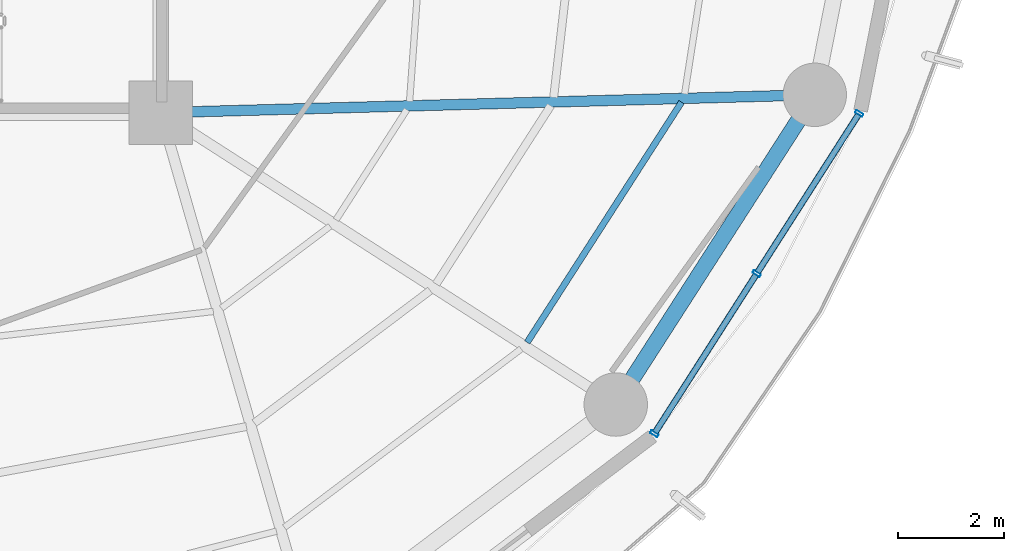
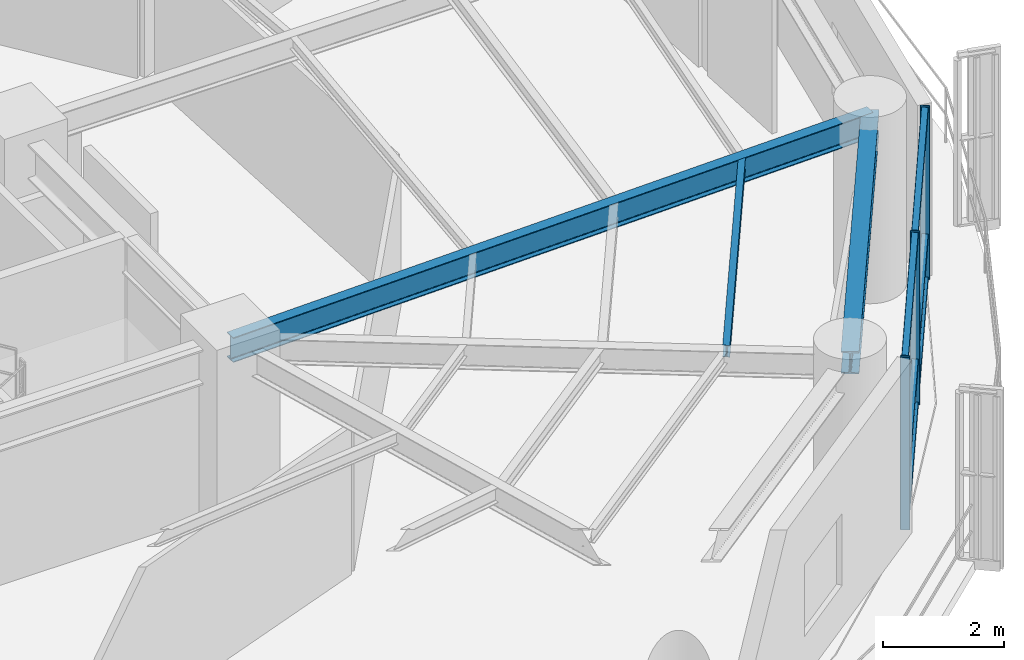
# One storey, part 11 of 27: 9 members, 3 beams, 1 element without a shape of its own.
"""IFC4 building model written with IfcOpenShell, lengths in metres."""

from ifc_helpers import new_model, si_unit, direction, frame, origin, origin_2d, place, context, subcontext, project, spatial, hollow_rectangle, i_section, extrude, material, layer, layer_set, material_profile, profile_set, type_object, element, aggregate, save


model = new_model("IFC4")

# Units and contexts
model_context = context("Model", 3, precision=1e-05, world=origin(), true_north=direction((0.0, 1.0)))
body_context = subcontext(model_context, "Body", "Model", "MODEL_VIEW")
ifc_project = project(units=[si_unit("LENGTHUNIT", "METRE"), si_unit("AREAUNIT", "SQUARE_METRE"), si_unit("VOLUMEUNIT", "CUBIC_METRE"), si_unit("PLANEANGLEUNIT", "RADIAN"), si_unit("MASSUNIT", "GRAM", prefix="KILO")], contexts=[model_context])

# Site, building, storey
site_placement = place(None, origin())
site = spatial("IfcSite", under=ifc_project, at=site_placement, CompositionType="ELEMENT")
building_placement = place(site_placement, origin())
building = spatial("IfcBuilding", under=site, at=building_placement, Name="Kelanora Arch Commons", CompositionType="ELEMENT")
storey_placement = place(building_placement, frame((0.0, 0.0, 173.10009765625)))
storey = spatial("IfcBuildingStorey", under=building, at=storey_placement, Name="L44", CompositionType="ELEMENT", Elevation=173.10009765625)

# Beams
ifc_material_1 = material(Name="Steel S355", Category="steel")
ifc_material_profile_1 = material_profile(ifc_material_1, i_section(OverallWidth=0.1201171875, OverallDepth=0.239990234375, WebThickness=0.006103515625, FlangeThickness=0.009765625, FilletRadius=0.014892578125, at=origin_2d()), Name="IPE240")
ifc_profile_set_1 = profile_set([ifc_material_profile_1], Name="Steel S355")
beam_type_1 = type_object("IfcBeamType", Name="BM-JST-02", PredefinedType="JOIST", material=ifc_profile_set_1)
beam_1_placement = place(storey_placement, frame((88.93212890625, 46.654296875, 3.369873046875), z_axis=(0.540581678156, 0.841291536414, 0.0), x_axis=(-0.841291536414, 0.540581678156, 0.0)))
element("IfcBeam", 1, at=beam_1_placement, inside=storey, type_object=beam_type_1, Name="Secondary Chord Joist BJC-32 L44", PredefinedType="JOIST", context=body_context, shape_type="SweptSolid", body=[
    extrude(i_section(OverallWidth=0.1201171875, OverallDepth=0.239990234375, WebThickness=0.006103515625, FlangeThickness=0.009765625, FilletRadius=0.014892578125, at=origin_2d()), origin(), (0.0, 0.0, 1.0), 5.4013671875),
])
ifc_material_profile_2 = material_profile(ifc_material_1, i_section(OverallWidth=0.199951171875, OverallDepth=0.5, WebThickness=0.01025390625, FlangeThickness=0.01611328125, FilletRadius=0.02099609375, at=origin_2d()), Name="IPE500")
ifc_profile_set_2 = profile_set([ifc_material_profile_2], Name="Steel S355")
beam_type_2 = type_object("IfcBeamType", Name="BM-RAD-Z3", PredefinedType="BEAM", material=ifc_profile_set_2)
beam_2_placement = place(storey_placement, frame((82.0, 51.0, 3.239990234375), z_axis=(0.999628374924, 0.027260081577, 0.0), x_axis=(-0.027260081577, 0.999628374924, 0.0)))
element("IfcBeam", 2, at=beam_2_placement, inside=storey, type_object=beam_type_2, Name="Radial Floor Girder BR-34 L44", PredefinedType="BEAM", context=body_context, shape_type="SweptSolid", body=[
    extrude(i_section(OverallWidth=0.199951171875, OverallDepth=0.5, WebThickness=0.01025390625, FlangeThickness=0.01611328125, FilletRadius=0.02099609375, at=origin_2d()), origin(), (0.0, 0.0, 1.0), 12.377197265625),
])
ifc_material_profile_3 = material_profile(ifc_material_1, i_section(OverallWidth=0.300048828125, OverallDepth=0.449951171875, WebThickness=0.013916015625, FlangeThickness=0.02587890625, FilletRadius=0.027099609375, at=origin_2d()), Name="HEB450")
ifc_profile_set_3 = profile_set([ifc_material_profile_3], Name="Steel S355")
beam_type_3 = type_object("IfcBeamType", Name="BM-SPN-Z3", PredefinedType="SPANDREL", material=ifc_profile_set_3)
beam_3_placement = place(storey_placement, frame((90.60791015625, 45.478515625, 3.264892578125), z_axis=(0.540576852469, 0.841294637196, 0.0), x_axis=(-0.841294637196, 0.540576852469, 0.0)))
element("IfcBeam", 3, at=beam_3_placement, inside=storey, type_object=beam_type_3, Name="Perimeter Spandrel Beam BS-32 L44", PredefinedType="SPANDREL", context=body_context, shape_type="SweptSolid", body=[
    extrude(i_section(OverallWidth=0.300048828125, OverallDepth=0.449951171875, WebThickness=0.013916015625, FlangeThickness=0.02587890625, FilletRadius=0.027099609375, at=origin_2d()), origin(), (0.0, 0.0, 1.0), 6.964111328125),
])

# Curtain wall, members
ifc_material_2 = material(Name="Terracotta ceramic-fritted low-E glass and aluminium", Category="masonry")
ifc_layer = layer(ifc_material_2, 0.175048828125)
ifc_layer_set = layer_set([ifc_layer], Name="Terracotta ceramic-fritted low-E glass and aluminium")
curtain_wall_type = type_object("IfcCurtainWallType", Name="CW-SYS-02", PredefinedType="NOTDEFINED", material=ifc_layer_set)
curtain_wall_placement = place(storey_placement, origin())
curtain_wall = element("IfcCurtainWall", 4, at=curtain_wall_placement, inside=storey, type_object=curtain_wall_type, Name="Unitised Curtain Wall L44-B16", PredefinedType="NOTDEFINED")
ifc_material_3 = material(Name="Powder-coated aluminium terracotta", Category="masonry")
ifc_material_profile_4 = material_profile(ifc_material_3, hollow_rectangle(XDim=0.159912109375, YDim=0.06005859375, WallThickness=0.0048828125, InnerFilletRadius=0.0048828125, OuterFilletRadius=0.010009765625, at=origin_2d()), Name="CWM160x60")
ifc_profile_set_4 = profile_set([ifc_material_profile_4], Name="Powder-coated aluminium terracotta")
member_type_1 = type_object("IfcMemberType", Name="CWM-STD", PredefinedType="MULLION", material=ifc_profile_set_4)
member_1_placement = place(storey_placement, frame((91.3369140625, 44.925048828125, 0.0), z_axis=(0.0, 0.0, 1.0), x_axis=(-0.842422846546, 0.538816988983, 0.0)))
member_1 = element("IfcMember", 5, at=member_1_placement, type_object=member_type_1, Name="CW-02 mullion 1", PredefinedType="MULLION", context=body_context, shape_type="SweptSolid", body=[
    extrude(hollow_rectangle(XDim=0.159912109375, YDim=0.06005859375, WallThickness=0.0048828125, InnerFilletRadius=0.0048828125, OuterFilletRadius=0.010009765625, at=origin_2d()), origin(), (0.0, 0.0, 1.0), 3.474853515625),
])
member_2_placement = place(storey_placement, frame((93.27490234375, 47.954833984375, 0.0), z_axis=(0.0, 0.0, 1.0), x_axis=(-0.842422846546, 0.538816988983, 0.0)))
member_2 = element("IfcMember", 6, at=member_2_placement, type_object=member_type_1, Name="CW-02 mullion 2", PredefinedType="MULLION", context=body_context, shape_type="SweptSolid", body=[
    extrude(hollow_rectangle(XDim=0.159912109375, YDim=0.06005859375, WallThickness=0.0048828125, InnerFilletRadius=0.0048828125, OuterFilletRadius=0.010009765625, at=origin_2d()), origin(), (0.0, 0.0, 1.0), 3.474853515625),
])
member_3_placement = place(storey_placement, frame((95.212890625, 50.98486328125, 0.0), z_axis=(0.0, 0.0, 1.0), x_axis=(-0.842422846546, 0.538816988983, 0.0)))
member_3 = element("IfcMember", 7, at=member_3_placement, type_object=member_type_1, Name="CW-02 mullion 3", PredefinedType="MULLION", context=body_context, shape_type="SweptSolid", body=[
    extrude(hollow_rectangle(XDim=0.159912109375, YDim=0.06005859375, WallThickness=0.0048828125, InnerFilletRadius=0.0048828125, OuterFilletRadius=0.010009765625, at=origin_2d()), origin(), (0.0, 0.0, 1.0), 3.474853515625),
])
ifc_material_profile_5 = material_profile(ifc_material_3, hollow_rectangle(XDim=0.1201171875, YDim=0.06005859375, WallThickness=0.0048828125, InnerFilletRadius=0.0048828125, OuterFilletRadius=0.010009765625, at=origin_2d()), Name="CWT120x60")
ifc_profile_set_5 = profile_set([ifc_material_profile_5], Name="Powder-coated aluminium terracotta")
member_type_2 = type_object("IfcMemberType", Name="CWT-STD", PredefinedType="USERDEFINED", material=ifc_profile_set_5)
member_4_placement = place(storey_placement, frame((91.35302734375, 44.9501953125, 0.02978515625), z_axis=(0.53883037555, 0.842414284295, 0.0), x_axis=(-0.842414284295, 0.53883037555, 0.0)))
member_4 = element("IfcMember", 8, at=member_4_placement, type_object=member_type_2, Name="CW-02 transom 1.1", ObjectType="TRANSOM", PredefinedType="USERDEFINED", context=body_context, shape_type="SweptSolid", body=[
    extrude(hollow_rectangle(XDim=0.1201171875, YDim=0.06005859375, WallThickness=0.0048828125, InnerFilletRadius=0.0048828125, OuterFilletRadius=0.010009765625, at=origin_2d()), origin(), (0.0, 0.0, 1.0), 3.536865234375),
])
member_5_placement = place(storey_placement, frame((91.35302734375, 44.9501953125, 0.89990234375), z_axis=(0.53883037555, 0.842414284295, 0.0), x_axis=(-0.842414284295, 0.53883037555, 0.0)))
member_5 = element("IfcMember", 9, at=member_5_placement, type_object=member_type_2, Name="CW-02 transom 1.2", ObjectType="TRANSOM", PredefinedType="USERDEFINED", context=body_context, shape_type="SweptSolid", body=[
    extrude(hollow_rectangle(XDim=0.1201171875, YDim=0.06005859375, WallThickness=0.0048828125, InnerFilletRadius=0.0048828125, OuterFilletRadius=0.010009765625, at=origin_2d()), origin(), (0.0, 0.0, 1.0), 3.536865234375),
])
member_6_placement = place(storey_placement, frame((91.35302734375, 44.9501953125, 3.44482421875), z_axis=(0.53883037555, 0.842414284295, 0.0), x_axis=(-0.842414284295, 0.53883037555, 0.0)))
member_6 = element("IfcMember", 10, at=member_6_placement, type_object=member_type_2, Name="CW-02 transom 1.3", ObjectType="TRANSOM", PredefinedType="USERDEFINED", context=body_context, shape_type="SweptSolid", body=[
    extrude(hollow_rectangle(XDim=0.1201171875, YDim=0.06005859375, WallThickness=0.0048828125, InnerFilletRadius=0.0048828125, OuterFilletRadius=0.010009765625, at=origin_2d()), origin(), (0.0, 0.0, 1.0), 3.536865234375),
])
member_7_placement = place(storey_placement, frame((93.291015625, 47.980224609375, 0.02978515625), z_axis=(0.53883037555, 0.842414284295, 0.0), x_axis=(-0.842414284295, 0.53883037555, 0.0)))
member_7 = element("IfcMember", 11, at=member_7_placement, type_object=member_type_2, Name="CW-02 transom 2.1", ObjectType="TRANSOM", PredefinedType="USERDEFINED", context=body_context, shape_type="SweptSolid", body=[
    extrude(hollow_rectangle(XDim=0.1201171875, YDim=0.06005859375, WallThickness=0.0048828125, InnerFilletRadius=0.0048828125, OuterFilletRadius=0.010009765625, at=origin_2d()), origin(), (0.0, 0.0, 1.0), 3.536865234375),
])
member_8_placement = place(storey_placement, frame((93.291015625, 47.980224609375, 0.89990234375), z_axis=(0.53883037555, 0.842414284295, 0.0), x_axis=(-0.842414284295, 0.53883037555, 0.0)))
member_8 = element("IfcMember", 12, at=member_8_placement, type_object=member_type_2, Name="CW-02 transom 2.2", ObjectType="TRANSOM", PredefinedType="USERDEFINED", context=body_context, shape_type="SweptSolid", body=[
    extrude(hollow_rectangle(XDim=0.1201171875, YDim=0.06005859375, WallThickness=0.0048828125, InnerFilletRadius=0.0048828125, OuterFilletRadius=0.010009765625, at=origin_2d()), origin(), (0.0, 0.0, 1.0), 3.536865234375),
])
member_9_placement = place(storey_placement, frame((93.291015625, 47.980224609375, 3.44482421875), z_axis=(0.53883037555, 0.842414284295, 0.0), x_axis=(-0.842414284295, 0.53883037555, 0.0)))
member_9 = element("IfcMember", 13, at=member_9_placement, type_object=member_type_2, Name="CW-02 transom 2.3", ObjectType="TRANSOM", PredefinedType="USERDEFINED", context=body_context, shape_type="SweptSolid", body=[
    extrude(hollow_rectangle(XDim=0.1201171875, YDim=0.06005859375, WallThickness=0.0048828125, InnerFilletRadius=0.0048828125, OuterFilletRadius=0.010009765625, at=origin_2d()), origin(), (0.0, 0.0, 1.0), 3.536865234375),
])
aggregate(curtain_wall, [member_1, member_2, member_3, member_4, member_5, member_6, member_7, member_8, member_9])

save(model, "model.ifc")
